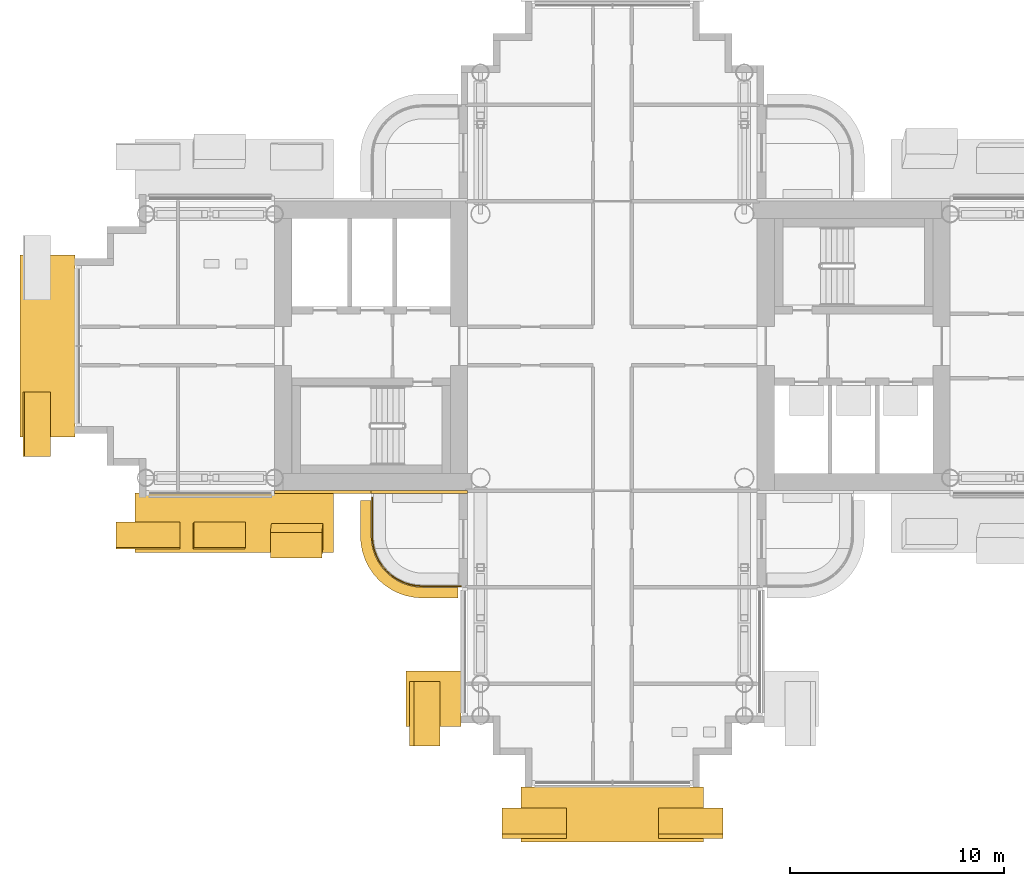
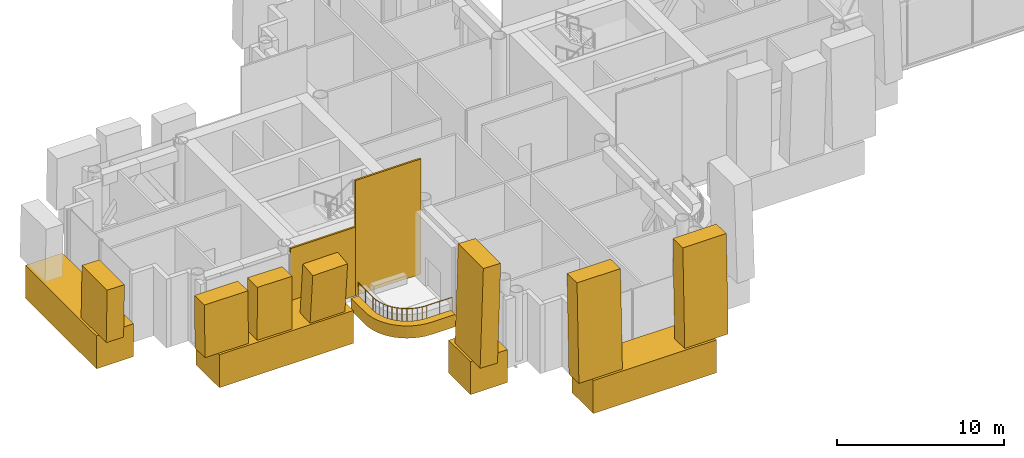
# One storey, part 26 of 34: 14 coverings, 1 railing.
"""IFC4 building model written with IfcOpenShell, lengths in metres."""

from ifc_helpers import new_model, si_unit, direction, frame, origin, origin_2d, place, context, subcontext, project, spatial, polyline, rectangle, circle, outline, extrude, material, layer, layer_set, material_profile, profile_set, type_object, element, save


model = new_model("IFC4")

# Units and contexts
model_context = context("Model", 3, precision=1e-05, world=origin(), true_north=direction((0.0, 1.0)))
body_context = subcontext(model_context, "Body", "Model", "MODEL_VIEW")
ifc_project = project(units=[si_unit("LENGTHUNIT", "METRE"), si_unit("AREAUNIT", "SQUARE_METRE"), si_unit("VOLUMEUNIT", "CUBIC_METRE"), si_unit("PLANEANGLEUNIT", "RADIAN"), si_unit("MASSUNIT", "GRAM", prefix="KILO")], contexts=[model_context])

# Site, building, storey
site_placement = place(None, origin())
site = spatial("IfcSite", under=ifc_project, at=site_placement, CompositionType="ELEMENT")
building_placement = place(site_placement, origin())
building = spatial("IfcBuilding", under=site, at=building_placement, Name="Ipe Terrace Towers", CompositionType="ELEMENT")
storey_placement = place(building_placement, frame((0.0, 0.0, 128.699951171875)))
storey = spatial("IfcBuildingStorey", under=building, at=storey_placement, Name="L35", CompositionType="ELEMENT", Elevation=128.699951171875)

# Railing
ifc_material_1 = material(Name="Stainless steel S316", Category="steel")
railing_type = type_object("IfcRailingType", Name="GUARD 1100", PredefinedType="BALUSTRADE", material=ifc_material_1)
railing_placement = place(storey_placement, frame((-47.199951171875, -7.070068359375, -0.02001953125)))
element("IfcRailing", 1, at=railing_placement, inside=storey, type_object=railing_type, Name="guard", PredefinedType="BALUSTRADE", context=body_context, shape_type="SweptSolid", body=[
    extrude(circle(Radius=0.02392578125, at=origin_2d()), frame((0.0, 0.0, 1.076171875), z_axis=(0.0, -1.0, 0.0), x_axis=(1.0, 0.0, 0.0)), (0.0, 0.0, 1.0), 1.77783203125),
    extrude(circle(Radius=0.02392578125, at=origin_2d()), frame((0.0, -1.77783203125, 1.076171875), z_axis=(0.064635492184, -0.99790894031, 0.0), x_axis=(0.99790894031, 0.064635492184, 0.0)), (0.0, 0.0, 1.0), 0.309814453125),
    extrude(circle(Radius=0.02392578125, at=origin_2d()), frame((0.02001953125, -2.0869140625, 1.076171875), z_axis=(0.194892169718, -0.980824674538, 0.0), x_axis=(0.980824674538, 0.194892169718, 0.0)), (0.0, 0.0, 1.0), 0.306884765625),
    extrude(circle(Radius=0.02392578125, at=origin_2d()), frame((0.079833984375, -2.387939453125, 1.076171875), z_axis=(0.322415209212, -0.946598348228, 0.0), x_axis=(0.946598348228, 0.322415209212, 0.0)), (0.0, 0.0, 1.0), 0.307373046875),
    extrude(circle(Radius=0.02392578125, at=origin_2d()), frame((0.178955078125, -2.678955078125, 1.076171875), z_axis=(0.44212629539, -0.896952807524, 0.0), x_axis=(0.896952807524, 0.44212629539, 0.0)), (0.0, 0.0, 1.0), 0.3076171875),
    extrude(circle(Radius=0.02392578125, at=origin_2d()), frame((0.31494140625, -2.954833984375, 1.076171875), z_axis=(0.555066120228, -0.831806228742, 0.0), x_axis=(0.831806228742, 0.555066120228, 0.0)), (0.0, 0.0, 1.0), 0.307861328125),
    extrude(circle(Radius=0.02392578125, at=origin_2d()), frame((0.48583984375, -3.2109375, 1.076171875), z_axis=(0.658617227954, -0.752478137252, 0.0), x_axis=(0.752478137252, 0.658617227954, 0.0)), (0.0, 0.0, 1.0), 0.306884765625),
    extrude(circle(Radius=0.02392578125, at=origin_2d()), frame((0.68798828125, -3.44189453125, 1.076171875), z_axis=(0.752478137252, -0.658617227954, 0.0), x_axis=(0.658617227954, 0.752478137252, 0.0)), (0.0, 0.0, 1.0), 0.306884765625),
    extrude(circle(Radius=0.02392578125, at=origin_2d()), frame((0.9189453125, -3.64404296875, 1.076171875), z_axis=(0.831806228742, -0.555066120228, 0.0), x_axis=(0.555066120228, 0.831806228742, 0.0)), (0.0, 0.0, 1.0), 0.307861328125),
    extrude(circle(Radius=0.02392578125, at=origin_2d()), frame((1.175048828125, -3.81494140625, 1.076171875), z_axis=(0.896952807524, -0.44212629539, 0.0), x_axis=(0.44212629539, 0.896952807524, 0.0)), (0.0, 0.0, 1.0), 0.3076171875),
    extrude(circle(Radius=0.02392578125, at=origin_2d()), frame((1.450927734375, -3.950927734375, 1.076171875), z_axis=(0.946598348228, -0.322415209212, 0.0), x_axis=(0.322415209212, 0.946598348228, 0.0)), (0.0, 0.0, 1.0), 0.307373046875),
    extrude(circle(Radius=0.02392578125, at=origin_2d()), frame((1.741943359375, -4.050048828125, 1.076171875), z_axis=(0.980824674538, -0.194892169718, 0.0), x_axis=(0.194892169718, 0.980824674538, 0.0)), (0.0, 0.0, 1.0), 0.306884765625),
    extrude(circle(Radius=0.02392578125, at=origin_2d()), frame((2.04296875, -4.10986328125, 1.076171875), z_axis=(0.99790894031, -0.064635492184, 0.0), x_axis=(0.064635492184, 0.99790894031, 0.0)), (0.0, 0.0, 1.0), 0.309814453125),
    extrude(circle(Radius=0.02392578125, at=origin_2d()), frame((2.35205078125, -4.1298828125, 1.076171875), z_axis=(1.0, 0.0, 0.0), x_axis=(0.0, 1.0, 0.0)), (0.0, 0.0, 1.0), 1.77783203125),
    extrude(circle(Radius=0.02099609375, at=origin_2d()), origin(), (0.0, 0.0, 1.0), 1.052001953125),
    extrude(circle(Radius=0.02099609375, at=origin_2d()), frame((0.0, -0.888916015625, 0.0)), (0.0, 0.0, 1.0), 1.052001953125),
    extrude(circle(Radius=0.02099609375, at=origin_2d()), frame((0.0, -1.77783203125, 0.0)), (0.0, 0.0, 1.0), 1.052001953125),
    extrude(circle(Radius=0.02099609375, at=origin_2d()), frame((0.02001953125, -2.0869140625, 0.0)), (0.0, 0.0, 1.0), 1.052001953125),
    extrude(circle(Radius=0.02099609375, at=origin_2d()), frame((0.079833984375, -2.387939453125, 0.0)), (0.0, 0.0, 1.0), 1.052001953125),
    extrude(circle(Radius=0.02099609375, at=origin_2d()), frame((0.178955078125, -2.678955078125, 0.0)), (0.0, 0.0, 1.0), 1.052001953125),
    extrude(circle(Radius=0.02099609375, at=origin_2d()), frame((0.31494140625, -2.954833984375, 0.0)), (0.0, 0.0, 1.0), 1.052001953125),
    extrude(circle(Radius=0.02099609375, at=origin_2d()), frame((0.48583984375, -3.2109375, 0.0)), (0.0, 0.0, 1.0), 1.052001953125),
    extrude(circle(Radius=0.02099609375, at=origin_2d()), frame((0.68798828125, -3.44189453125, 0.0)), (0.0, 0.0, 1.0), 1.052001953125),
    extrude(circle(Radius=0.02099609375, at=origin_2d()), frame((0.9189453125, -3.64404296875, 0.0)), (0.0, 0.0, 1.0), 1.052001953125),
    extrude(circle(Radius=0.02099609375, at=origin_2d()), frame((1.175048828125, -3.81494140625, 0.0)), (0.0, 0.0, 1.0), 1.052001953125),
    extrude(circle(Radius=0.02099609375, at=origin_2d()), frame((1.450927734375, -3.950927734375, 0.0)), (0.0, 0.0, 1.0), 1.052001953125),
    extrude(circle(Radius=0.02099609375, at=origin_2d()), frame((1.741943359375, -4.050048828125, 0.0)), (0.0, 0.0, 1.0), 1.052001953125),
    extrude(circle(Radius=0.02099609375, at=origin_2d()), frame((2.04296875, -4.10986328125, 0.0)), (0.0, 0.0, 1.0), 1.052001953125),
    extrude(circle(Radius=0.02099609375, at=origin_2d()), frame((2.35205078125, -4.1298828125, 0.0)), (0.0, 0.0, 1.0), 1.052001953125),
    extrude(circle(Radius=0.02099609375, at=origin_2d()), frame((3.240966796875, -4.1298828125, 0.0)), (0.0, 0.0, 1.0), 1.052001953125),
    extrude(circle(Radius=0.02099609375, at=origin_2d()), frame((4.1298828125, -4.1298828125, 0.0)), (0.0, 0.0, 1.0), 1.052001953125),
])

# Coverings
ifc_material_2 = material(Name="Concrete C50/60 precast, buff finish", Category="concrete")
ifc_layer_1 = layer(ifc_material_2, 0.1201171875)
ifc_layer_set_1 = layer_set([ifc_layer_1], Name="STONE CORE CLADDING 120")
covering_type_1 = type_object("IfcCoveringType", Name="STONE CORE CLADDING 120", PredefinedType="CLADDING", material=ifc_layer_set_1)
covering_1_placement = place(storey_placement, frame((-49.5009765625, -6.81005859375, 0.0), z_axis=(0.0, 0.0, 1.0), x_axis=(1.0, 0.0, 0.0)))
element("IfcCovering", 2, at=covering_1_placement, inside=storey, type_object=covering_type_1, Name="stone core cladding", PredefinedType="CLADDING", context=body_context, shape_type="SweptSolid", body=[
    extrude(rectangle(XDim=4.5009765625, YDim=0.1201171875, at=origin_2d()), origin(), (0.0, 0.0, 1.0), 5.0),
])
covering_2_placement = place(storey_placement, frame((-45.0, -6.81005859375, 0.0), z_axis=(0.0, 0.0, 1.0), x_axis=(1.0, 0.0, 0.0)))
element("IfcCovering", 3, at=covering_2_placement, inside=storey, type_object=covering_type_1, Name="stone core cladding", PredefinedType="CLADDING", context=body_context, shape_type="SweptSolid", body=[
    extrude(rectangle(XDim=4.5, YDim=0.1201171875, at=origin_2d()), origin(), (0.0, 0.0, 1.0), 8.39990234375),
])
ifc_material_3 = material(Name="Concrete C50/60 precast, buff finish", Category="concrete")
ifc_layer_2 = layer(ifc_material_3, 0.5)
ifc_layer_set_2 = layer_set([ifc_layer_2], Name="STONE EDGE BAND 500 x 900")
covering_type_2 = type_object("IfcCoveringType", Name="STONE EDGE BAND 500 x 900", PredefinedType="CLADDING", material=ifc_layer_set_2)
covering_3_placement = place(storey_placement, frame((0.0, 0.0, -0.719970703125)))
element("IfcCovering", 4, at=covering_3_placement, inside=storey, type_object=covering_type_2, Name="stone edge band", PredefinedType="CLADDING", context=body_context, shape_type="SweptSolid", body=[
    extrude(outline(polyline([(-44.85009765625, -11.75), (-43.199951171875, -11.75), (-43.199951171875, -11.25), (-44.85009765625, -11.25), (-45.1630859375, -11.22900390625), (-45.470947265625, -11.16796875), (-45.76806640625, -11.06689453125), (-46.050048828125, -10.927978515625), (-46.31103515625, -10.75390625), (-46.547119140625, -10.547119140625), (-46.75390625, -10.31103515625), (-46.927978515625, -10.050048828125), (-47.06689453125, -9.76806640625), (-47.16796875, -9.470947265625), (-47.22900390625, -9.1630859375), (-47.25, -8.85009765625), (-47.25, -7.199951171875), (-47.75, -7.199951171875), (-47.75, -8.85009765625), (-47.7490234375, -8.883056640625), (-47.72802734375, -9.196044921875), (-47.719970703125, -9.260986328125), (-47.658935546875, -9.569091796875), (-47.64208984375, -9.632080078125), (-47.541015625, -9.928955078125), (-47.51611328125, -9.989990234375), (-47.376953125, -10.27099609375), (-47.343994140625, -10.327880859375), (-47.169921875, -10.589111328125), (-47.1298828125, -10.64111328125), (-46.923095703125, -10.876953125), (-46.876953125, -10.923095703125), (-46.64111328125, -11.1298828125), (-46.589111328125, -11.169921875), (-46.327880859375, -11.343994140625), (-46.27099609375, -11.376953125), (-45.989990234375, -11.51611328125), (-45.928955078125, -11.541015625), (-45.632080078125, -11.64208984375), (-45.569091796875, -11.658935546875), (-45.260986328125, -11.719970703125), (-45.196044921875, -11.72802734375), (-44.883056640625, -11.7490234375), (-44.85009765625, -11.75)])), origin(), (0.0, 0.0, 1.0), 0.89990234375),
])
ifc_material_4 = material(Name="Concrete C50/60 precast, buff finish", Category="concrete")
ifc_material_profile_1 = material_profile(ifc_material_4, rectangle(XDim=2.39990234375, YDim=1.199951171875, at=origin_2d()), Name="STONE FIN 2400 x 1200")
ifc_profile_set_1 = profile_set([ifc_material_profile_1], Name="Concrete C50/60 precast, buff finish")
covering_type_3 = type_object("IfcCoveringType", Name="STONE FIN 2400 x 1200", PredefinedType="USERDEFINED", material=ifc_profile_set_1)
covering_4_placement = place(storey_placement, frame((-50.699951171875, -8.8701171875, 1.199951171875), z_axis=(-0.013346716602, -0.108753389345, 0.993979157459), x_axis=(0.999910928611, -0.001451629969, 0.013267539881)))
element("IfcCovering", 5, at=covering_4_placement, inside=storey, type_object=covering_type_3, Name="stone fin", ObjectType="FIN", PredefinedType="USERDEFINED", context=body_context, shape_type="SweptSolid", body=[
    extrude(rectangle(XDim=2.39990234375, YDim=1.199951171875, at=origin_2d()), origin(), (0.0, 0.0, 1.0), 3.822998046875),
])
covering_5_placement = place(storey_placement, frame((-54.35009765625, -8.8701171875, 1.199951171875), z_axis=(0.013424376915, 0.017149802087, 0.999762807066), x_axis=(0.999909888992, -0.000230246158, -0.013422402253)))
element("IfcCovering", 6, at=covering_5_placement, inside=storey, type_object=covering_type_3, Name="stone fin", ObjectType="FIN", PredefinedType="USERDEFINED", context=body_context, shape_type="SweptSolid", body=[
    extrude(rectangle(XDim=2.39990234375, YDim=1.199951171875, at=origin_2d()), origin(), (0.0, 0.0, 1.0), 3.801025390625),
])
ifc_material_5 = material(Name="Concrete C50/60 precast, buff finish", Category="concrete")
ifc_material_profile_2 = material_profile(ifc_material_5, rectangle(XDim=3.0, YDim=1.199951171875, at=origin_2d()), Name="STONE FIN CORNER 3000 x 1200")
ifc_profile_set_2 = profile_set([ifc_material_profile_2], Name="Concrete C50/60 precast, buff finish")
covering_type_4 = type_object("IfcCoveringType", Name="STONE FIN CORNER 3000 x 1200", PredefinedType="USERDEFINED", material=ifc_profile_set_2)
for number, where, z_axis, x_axis, name in (
    (7, (-32.35009765625, -22.3701171875, 1.199951171875), (0.0, 0.030841147152, 0.999524298675), (1.0, 0.0, 0.0), "stone fin"),
    (8, (-39.64990234375, -22.3701171875, 1.199951171875), (0.0, 0.030841147152, 0.999524298675), (1.0, 0.0, 0.0), "stone fin"),
    (9, (-44.8701171875, -17.14990234375, 1.199951171875), (0.030841147152, 0.0, 0.999524298675), (0.0, -1.0, 0.0), "stone fin"),
):
    element("IfcCovering", number, at=place(storey_placement, frame(where, z_axis=z_axis, x_axis=x_axis)), inside=storey, type_object=covering_type_4, Name=name, ObjectType="FIN", PredefinedType="USERDEFINED", context=body_context, shape_type="SweptSolid", body=[
        extrude(rectangle(XDim=3.0, YDim=1.199951171875, at=origin_2d()), origin(), (0.0, 0.0, 1.0), 7.20361328125),
    ])
for number, where, z_axis, x_axis, name in (
    (10, (-57.64990234375, -8.8701171875, 1.199951171875), (0.0, 0.017151347612, 0.999852904819), (1.0, 0.0, 0.0), "stone fin"),
    (11, (-62.8701171875, -3.64990234375, 1.199951171875), (0.017151347612, 0.0, 0.999852904819), (0.0, -1.0, 0.0), "stone fin"),
):
    element("IfcCovering", number, at=place(storey_placement, frame(where, z_axis=z_axis, x_axis=x_axis)), inside=storey, type_object=covering_type_4, Name=name, ObjectType="FIN", PredefinedType="USERDEFINED", context=body_context, shape_type="SweptSolid", body=[
        extrude(rectangle(XDim=3.0, YDim=1.199951171875, at=origin_2d()), origin(), (0.0, 0.0, 1.0), 3.800537109375),
    ])
ifc_material_6 = material(Name="Concrete C50/60 precast, buff finish", Category="concrete")
ifc_material_profile_3 = material_profile(ifc_material_6, rectangle(XDim=2.56005859375, YDim=2.39990234375, at=origin_2d()), Name="STONE FIN SPANDREL 2560 x 2400")
ifc_profile_set_3 = profile_set([ifc_material_profile_3], Name="Concrete C50/60 precast, buff finish")
covering_type_5 = type_object("IfcCoveringType", Name="STONE FIN SPANDREL 2560 x 2400", PredefinedType="CLADDING", material=ifc_profile_set_3)
covering_6_placement = place(storey_placement, frame((-44.340087890625, -15.14990234375, 0.0), z_axis=(0.0, -1.0, 0.0), x_axis=(-1.0, 0.0, 0.0)))
element("IfcCovering", 12, at=covering_6_placement, inside=storey, type_object=covering_type_5, Name="stone fin spandrel", PredefinedType="CLADDING", context=body_context, shape_type="SweptSolid", body=[
    extrude(rectangle(XDim=2.56005859375, YDim=2.39990234375, at=origin_2d()), origin(), (0.0, 0.0, 1.0), 2.60009765625),
])
for number, where, z_axis, x_axis, name in (
    (13, (-40.25, -21.840087890625, 0.0), (1.0, 0.0, 0.0), (0.0, -1.0, 0.0), "stone fin spandrel"),
    (14, (-62.340087890625, 4.25, 0.0), (0.0, -1.0, 0.0), (-1.0, 0.0, 0.0), "stone fin spandrel"),
):
    element("IfcCovering", number, at=place(storey_placement, frame(where, z_axis=z_axis, x_axis=x_axis)), inside=storey, type_object=covering_type_5, Name=name, PredefinedType="CLADDING", context=body_context, shape_type="SweptSolid", body=[
        extrude(rectangle(XDim=2.56005859375, YDim=2.39990234375, at=origin_2d()), origin(), (0.0, 0.0, 1.0), 8.5),
    ])
ifc_material_7 = material(Name="Concrete C50/60 precast, buff finish", Category="concrete")
ifc_material_profile_4 = material_profile(ifc_material_7, rectangle(XDim=2.760009765625, YDim=2.39990234375, at=origin_2d()), Name="STONE FIN SPANDREL 2760 x 2400")
ifc_profile_set_4 = profile_set([ifc_material_profile_4], Name="Concrete C50/60 precast, buff finish")
covering_type_6 = type_object("IfcCoveringType", Name="STONE FIN SPANDREL 2760 x 2400", PredefinedType="CLADDING", material=ifc_profile_set_4)
covering_7_placement = place(storey_placement, frame((-58.25, -8.239990234375, 0.0), z_axis=(1.0, 0.0, 0.0), x_axis=(0.0, -1.0, 0.0)))
element("IfcCovering", 15, at=covering_7_placement, inside=storey, type_object=covering_type_6, Name="stone fin spandrel", PredefinedType="CLADDING", context=body_context, shape_type="SweptSolid", body=[
    extrude(rectangle(XDim=2.760009765625, YDim=2.39990234375, at=origin_2d()), origin(), (0.0, 0.0, 1.0), 9.25),
])

save(model, "model.ifc")
